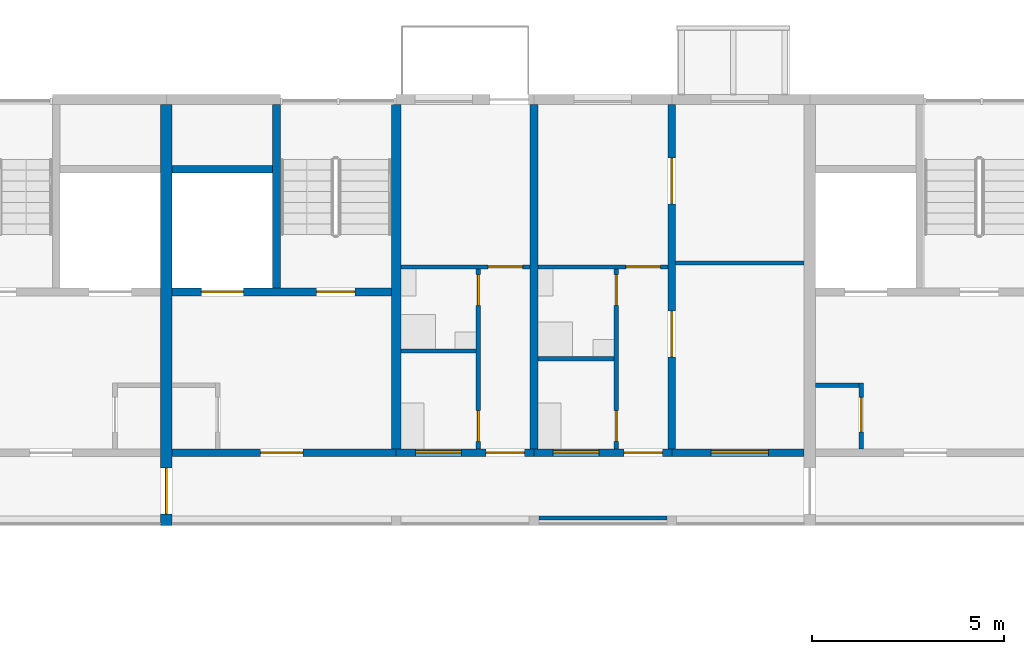
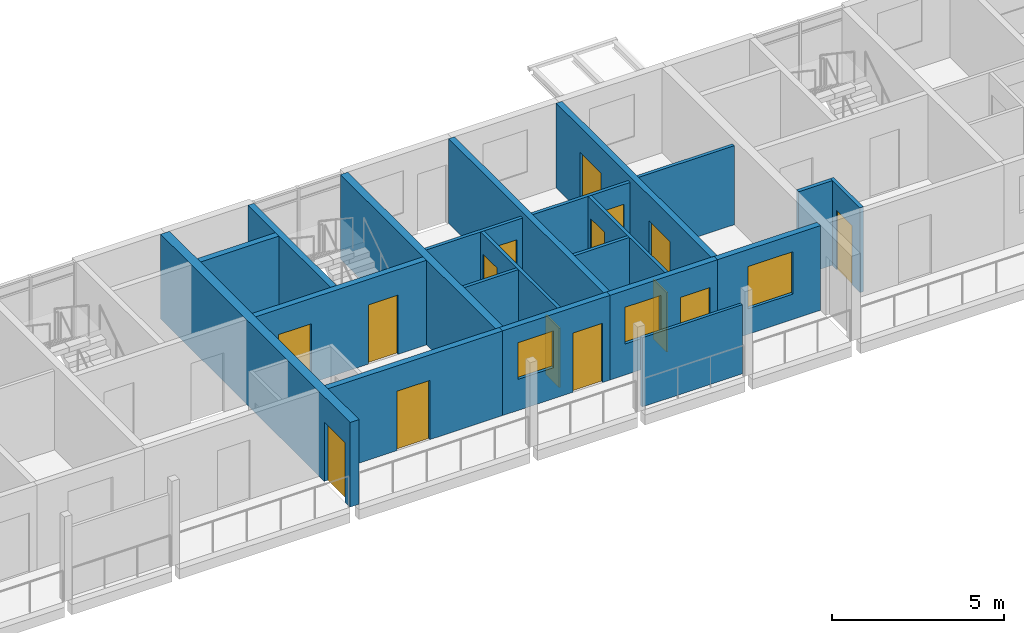
# One storey, part 50 of 99: 21 walls, 15 doors, 3 windows, 18 openings.
"""IFC4 building model written with IfcOpenShell, lengths in metres."""

from ifc_helpers import new_model, si_unit, direction, frame, frame_2d, origin, place, context, subcontext, project, spatial, rectangle, extrude, material, layer, layer_set, type_object, element, fill, save


model = new_model("IFC4")

# Units and contexts
model_context = context("Model", 3, precision=1e-05, world=origin(), true_north=direction((0.0, 1.0)))
body_context = subcontext(model_context, "Body", "Model", "MODEL_VIEW")
ifc_project = project(units=[si_unit("LENGTHUNIT", "METRE"), si_unit("AREAUNIT", "SQUARE_METRE"), si_unit("VOLUMEUNIT", "CUBIC_METRE"), si_unit("PLANEANGLEUNIT", "RADIAN"), si_unit("MASSUNIT", "GRAM", prefix="KILO")], contexts=[model_context])

# Site, building, storey
site_placement = place(None, origin())
site = spatial("IfcSite", under=ifc_project, at=site_placement, CompositionType="ELEMENT")
building_placement = place(site_placement, origin())
building = spatial("IfcBuilding", under=site, at=building_placement, Name="Ridgestep Commons", CompositionType="ELEMENT")
storey_placement = place(building_placement, frame((0.0, 0.0, 15.0)))
storey = spatial("IfcBuildingStorey", under=building, at=storey_placement, Name="L05", CompositionType="ELEMENT", Elevation=15.0)

# Wall
ifc_material_1 = material(Name="Concrete C30/37", Category="concrete")
ifc_layer_1 = layer(ifc_material_1, 0.25)
ifc_layer_set_1 = layer_set([ifc_layer_1], Name="Core cross wall 250")
wall_type_1 = type_object("IfcWallType", Name="Core cross wall 250", PredefinedType="SHEAR", material=ifc_layer_set_1)
wall_1_placement = place(storey_placement, frame((186.39990234375, 68.0, 0.0), z_axis=(0.0, 0.0, 1.0), x_axis=(0.0, 1.0, 0.0)))
element("IfcWall", 1, at=wall_1_placement, inside=storey, type_object=wall_type_1, Name="Cross wall C-05-1864", PredefinedType="SHEAR", context=body_context, shape_type="SweptSolid", body=[
    extrude(rectangle(XDim=9.0, YDim=0.25, at=frame_2d((4.5, 0.0))), origin(), (0.0, 0.0, 1.0), 3.0),
])

# Wall, opening, door
ifc_material_2 = material(Name="Concrete C30/37", Category="concrete")
ifc_layer_2 = layer(ifc_material_2, 0.199951171875)
ifc_layer_set_2 = layer_set([ifc_layer_2], Name="Core south wall 200")
wall_type_2 = type_object("IfcWallType", Name="Core south wall 200", PredefinedType="SHEAR", material=ifc_layer_set_2)
wall_2_placement = place(storey_placement, frame((180.550048828125, 67.89990234375, 0.0), z_axis=(0.0, 0.0, 1.0), x_axis=(1.0, 0.0, 0.0)))
wall_2 = element("IfcWall", 2, at=wall_2_placement, inside=storey, type_object=wall_type_2, Name="Core south wall C3C L05", PredefinedType="SHEAR", context=body_context, shape_type="SweptSolid", body=[
    extrude(rectangle(XDim=5.849853515625, YDim=0.199951171875, at=frame_2d((2.9248046875, 0.0))), origin(), (0.0, 0.0, 1.0), 3.0),
])
opening_1_placement = place(wall_2_placement, frame((2.3125, 0.0, 0.0)))
opening_1 = element("IfcOpeningElement", 3, at=opening_1_placement, cuts=wall_2, Name="Opening C3C/05/1", PredefinedType="OPENING", context=body_context, shape_type="SweptSolid", body=[
    extrude(rectangle(XDim=1.10009765625, YDim=2.10009765625, at=frame_2d((0.550048828125, 1.050048828125))), frame((0.0, 0.10986328125, 0.0), z_axis=(0.0, -1.0, 0.0), x_axis=(1.0, 0.0, 0.0)), (0.0, 0.0, 1.0), 0.219970703125),
])
ifc_material_3 = material(Name="Steel fire door", Category="steel")
door_type_1 = type_object("IfcDoorType", Name="Lobby door 1100 x 2100 FD60", OperationType="NOTDEFINED", PredefinedType="DOOR", material=ifc_material_3)
door_1_placement = place(opening_1_placement, origin())
door_1 = element("IfcDoor", 4, at=door_1_placement, inside=storey, type_object=door_type_1, Name="Lobby door C3C/05/1", OperationType="SINGLE_SWING_LEFT", OverallHeight=2.10009765625, OverallWidth=1.10009765625, PredefinedType="DOOR", context=body_context, shape_type="SweptSolid", body=[
    extrude(rectangle(XDim=1.10009765625, YDim=2.10009765625, at=frame_2d((0.550048828125, 1.050048828125))), frame((0.0, 0.02490234375, 0.0), z_axis=(0.0, -1.0, 0.0), x_axis=(1.0, 0.0, 0.0)), (0.0, 0.0, 1.0), 0.050048828125),
])
fill(opening_1, door_1)

ifc_material_4 = material(Name="Concrete C30/37", Category="concrete")
ifc_layer_3 = layer(ifc_material_4, 0.1201171875)
ifc_layer_set_3 = layer_set([ifc_layer_3], Name="Core wall 120")
wall_type_3 = type_object("IfcWallType", Name="Core wall 120", PredefinedType="SHEAR", material=ifc_layer_set_3)
wall_3_placement = place(storey_placement, frame((198.5400390625, 68.0, 0.0), z_axis=(0.0, 0.0, 1.0), x_axis=(0.0, 1.0, 0.0)))
wall_3 = element("IfcWall", 5, at=wall_3_placement, inside=storey, type_object=wall_type_3, Name="Core riser w wall C4C L05", PredefinedType="SHEAR", context=body_context, shape_type="SweptSolid", body=[
    extrude(rectangle(XDim=1.719970703125, YDim=0.1201171875, at=frame_2d((0.85986328125, 0.0))), origin(), (0.0, 0.0, 1.0), 3.0),
])
opening_2_placement = place(wall_3_placement, frame((0.449951171875, 0.0, 0.0)))
opening_2 = element("IfcOpeningElement", 6, at=opening_2_placement, cuts=wall_3, Name="Opening C4C/05/4", PredefinedType="OPENING", context=body_context, shape_type="SweptSolid", body=[
    extrude(rectangle(XDim=0.89990234375, YDim=2.10009765625, at=frame_2d((0.449951171875, 1.050048828125))), frame((0.0, 0.070068359375, 0.0), z_axis=(0.0, -1.0, 0.0), x_axis=(1.0, 0.0, 0.0)), (0.0, 0.0, 1.0), 0.14013671875),
])
ifc_material_5 = material(Name="Steel fire door", Category="steel")
door_type_2 = type_object("IfcDoorType", Name="Riser door 900 x 2100 FD60", OperationType="NOTDEFINED", PredefinedType="DOOR", material=ifc_material_5)
door_2_placement = place(opening_2_placement, origin())
door_2 = element("IfcDoor", 7, at=door_2_placement, inside=storey, type_object=door_type_2, Name="Riser door C4C/05/4", OperationType="SINGLE_SWING_RIGHT", OverallHeight=2.10009765625, OverallWidth=0.89990234375, PredefinedType="DOOR", context=body_context, shape_type="SweptSolid", body=[
    extrude(rectangle(XDim=0.89990234375, YDim=2.10009765625, at=frame_2d((0.449951171875, 1.050048828125))), frame((0.0, 0.02490234375, 0.0), z_axis=(0.0, -1.0, 0.0), x_axis=(1.0, 0.0, 0.0)), (0.0, 0.0, 1.0), 0.050048828125),
])
fill(opening_2, door_2)

# Wall
wall_4_placement = place(storey_placement, frame((197.35009765625, 69.659912109375, 0.0), z_axis=(0.0, 0.0, 1.0), x_axis=(1.0, 0.0, 0.0)))
element("IfcWall", 8, at=wall_4_placement, inside=storey, type_object=wall_type_3, Name="Core riser n wall C4C L05", PredefinedType="SHEAR", context=body_context, shape_type="SweptSolid", body=[
    extrude(rectangle(XDim=1.1298828125, YDim=0.1201171875, at=frame_2d((0.56494140625, 0.0))), origin(), (0.0, 0.0, 1.0), 3.0),
])

# Wall, openings, doors
ifc_material_6 = material(Name="Concrete C30/37", Category="concrete")
ifc_layer_4 = layer(ifc_material_6, 0.199951171875)
ifc_layer_set_4 = layer_set([ifc_layer_4], Name="Core wall 200")
wall_type_4 = type_object("IfcWallType", Name="Core wall 200", PredefinedType="SHEAR", material=ifc_layer_set_4)
wall_5_placement = place(storey_placement, frame((180.550048828125, 72.10009765625, 0.0), z_axis=(0.0, 0.0, 1.0), x_axis=(1.0, 0.0, 0.0)))
wall_5 = element("IfcWall", 9, at=wall_5_placement, inside=storey, type_object=wall_type_4, Name="Core lobby wall C3C L05", PredefinedType="SHEAR", context=body_context, shape_type="SweptSolid", body=[
    extrude(rectangle(XDim=5.724853515625, YDim=0.199951171875, at=frame_2d((2.8623046875, 0.0))), origin(), (0.0, 0.0, 1.0), 3.0),
])
opening_3_placement = place(wall_5_placement, frame((3.77490234375, 0.0, 0.0)))
opening_3 = element("IfcOpeningElement", 10, at=opening_3_placement, cuts=wall_5, Name="Opening C3C/05/2", PredefinedType="OPENING", context=body_context, shape_type="SweptSolid", body=[
    extrude(rectangle(XDim=1.0, YDim=2.10009765625, at=frame_2d((0.5, 1.050048828125))), frame((0.0, 0.10986328125, 0.0), z_axis=(0.0, -1.0, 0.0), x_axis=(1.0, 0.0, 0.0)), (0.0, 0.0, 1.0), 0.219970703125),
])
opening_4_placement = place(wall_5_placement, frame((0.762451171875, 0.0, 0.0)))
opening_4 = element("IfcOpeningElement", 11, at=opening_4_placement, cuts=wall_5, Name="Opening C3C/05/3", PredefinedType="OPENING", context=body_context, shape_type="SweptSolid", body=[
    extrude(rectangle(XDim=1.10009765625, YDim=2.10009765625, at=frame_2d((0.550048828125, 1.050048828125))), frame((0.0, 0.10986328125, 0.0), z_axis=(0.0, -1.0, 0.0), x_axis=(1.0, 0.0, 0.0)), (0.0, 0.0, 1.0), 0.219970703125),
])
ifc_material_7 = material(Name="Stainless steel", Category="steel")
door_type_3 = type_object("IfcDoorType", Name="Lift landing door 1100 x 2100 FD60", OperationType="DOUBLE_DOOR_SLIDING", PredefinedType="DOOR", material=ifc_material_7)
door_3_placement = place(opening_4_placement, origin())
door_3 = element("IfcDoor", 12, at=door_3_placement, inside=storey, type_object=door_type_3, Name="Landing door LD C3C L05", OperationType="DOUBLE_DOOR_SLIDING", OverallHeight=2.10009765625, OverallWidth=1.10009765625, PredefinedType="DOOR", context=body_context, shape_type="SweptSolid", body=[
    extrude(rectangle(XDim=1.10009765625, YDim=2.10009765625, at=frame_2d((0.550048828125, 1.050048828125))), frame((0.0, 0.02490234375, 0.0), z_axis=(0.0, -1.0, 0.0), x_axis=(1.0, 0.0, 0.0)), (0.0, 0.0, 1.0), 0.050048828125),
])
fill(opening_4, door_3)
ifc_material_8 = material(Name="Steel fire door", Category="steel")
door_type_4 = type_object("IfcDoorType", Name="Stair door 1000 x 2100 FD60", OperationType="NOTDEFINED", PredefinedType="DOOR", material=ifc_material_8)
door_4_placement = place(opening_3_placement, origin())
door_4 = element("IfcDoor", 13, at=door_4_placement, inside=storey, type_object=door_type_4, Name="Stair door C3C/05/2", OperationType="SINGLE_SWING_RIGHT", OverallHeight=2.10009765625, OverallWidth=1.0, PredefinedType="DOOR", context=body_context, shape_type="SweptSolid", body=[
    extrude(rectangle(XDim=1.0, YDim=2.10009765625, at=frame_2d((0.5, 1.050048828125))), frame((0.0, 0.02490234375, 0.0), z_axis=(0.0, -1.0, 0.0), x_axis=(1.0, 0.0, 0.0)), (0.0, 0.0, 1.0), 0.050048828125),
])
fill(opening_3, door_4)

# Walls
wall_6_placement = place(storey_placement, frame((183.27490234375, 72.199951171875, 0.0), z_axis=(0.0, 0.0, 1.0), x_axis=(0.0, 1.0, 0.0)))
element("IfcWall", 14, at=wall_6_placement, inside=storey, type_object=wall_type_4, Name="Core stair wall C3C L05", PredefinedType="SHEAR", context=body_context, shape_type="SweptSolid", body=[
    extrude(rectangle(XDim=4.800048828125, YDim=0.199951171875, at=frame_2d((2.39990234375, 0.0))), origin(), (0.0, 0.0, 1.0), 3.0),
])
wall_7_placement = place(storey_placement, frame((180.550048828125, 75.300048828125, 0.0), z_axis=(0.0, 0.0, 1.0), x_axis=(1.0, 0.0, 0.0)))
element("IfcWall", 15, at=wall_7_placement, inside=storey, type_object=wall_type_4, Name="Core duct wall C3C L05", PredefinedType="SHEAR", context=body_context, shape_type="SweptSolid", body=[
    extrude(rectangle(XDim=2.625, YDim=0.199951171875, at=frame_2d((1.3125, 0.0))), origin(), (0.0, 0.0, 1.0), 3.0),
])
ifc_material_9 = material(Name="Precast concrete C40/50", Category="concrete")
ifc_layer_5 = layer(ifc_material_9, 0.199951171875)
ifc_layer_set_5 = layer_set([ifc_layer_5], Name="Cross wall 200")
wall_type_5 = type_object("IfcWallType", Name="Cross wall 200", PredefinedType="SHEAR", material=ifc_layer_set_5)
wall_8_placement = place(storey_placement, frame((190.0, 68.0, 0.0), z_axis=(0.0, 0.0, 1.0), x_axis=(0.0, 1.0, 0.0)))
element("IfcWall", 16, at=wall_8_placement, inside=storey, type_object=wall_type_5, Name="Cross wall C-05-1900", PredefinedType="SHEAR", context=body_context, shape_type="SweptSolid", body=[
    extrude(rectangle(XDim=9.0, YDim=0.199951171875, at=frame_2d((4.5, 0.0))), origin(), (0.0, 0.0, 1.0), 3.0),
])

# Wall, openings, doors
wall_9_placement = place(storey_placement, frame((193.60009765625, 68.0, 0.0), z_axis=(0.0, 0.0, 1.0), x_axis=(0.0, 1.0, 0.0)))
wall_9 = element("IfcWall", 17, at=wall_9_placement, inside=storey, type_object=wall_type_5, Name="Cross wall C-05-1936", PredefinedType="SHEAR", context=body_context, shape_type="SweptSolid", body=[
    extrude(rectangle(XDim=9.0, YDim=0.199951171875, at=frame_2d((4.5, 0.0))), origin(), (0.0, 0.0, 1.0), 3.0),
])
opening_5_placement = place(wall_9_placement, frame((2.39990234375, 0.0, 0.0)))
opening_5 = element("IfcOpeningElement", 18, at=opening_5_placement, cuts=wall_9, Name="Opening C3-05a/5", PredefinedType="OPENING", context=body_context, shape_type="SweptSolid", body=[
    extrude(rectangle(XDim=1.199951171875, YDim=2.10009765625, at=frame_2d((0.60009765625, 1.050048828125))), frame((0.0, 0.10986328125, 0.0), z_axis=(0.0, -1.0, 0.0), x_axis=(1.0, 0.0, 0.0)), (0.0, 0.0, 1.0), 0.219970703125),
])
opening_6_placement = place(wall_9_placement, frame((6.39990234375, 0.0, 0.0)))
opening_6 = element("IfcOpeningElement", 19, at=opening_6_placement, cuts=wall_9, Name="Opening C3-05a/6", PredefinedType="OPENING", context=body_context, shape_type="SweptSolid", body=[
    extrude(rectangle(XDim=1.199951171875, YDim=2.10009765625, at=frame_2d((0.60009765625, 1.050048828125))), frame((0.0, 0.10986328125, 0.0), z_axis=(0.0, -1.0, 0.0), x_axis=(1.0, 0.0, 0.0)), (0.0, 0.0, 1.0), 0.219970703125),
])
ifc_material_10 = material(Name="Timber door leaf", Category="wood")
door_type_5 = type_object("IfcDoorType", Name="Double door 1200 x 2100", OperationType="DOUBLE_DOOR_SINGLE_SWING", PredefinedType="DOOR", material=ifc_material_10)
door_5_placement = place(opening_5_placement, origin())
door_5 = element("IfcDoor", 20, at=door_5_placement, inside=storey, type_object=door_type_5, Name="Double door C3-05a/5", OperationType="DOUBLE_DOOR_SINGLE_SWING", OverallHeight=2.10009765625, OverallWidth=1.199951171875, PredefinedType="DOOR", context=body_context, shape_type="SweptSolid", body=[
    extrude(rectangle(XDim=1.199951171875, YDim=2.10009765625, at=frame_2d((0.60009765625, 1.050048828125))), frame((0.0, 0.02490234375, 0.0), z_axis=(0.0, -1.0, 0.0), x_axis=(1.0, 0.0, 0.0)), (0.0, 0.0, 1.0), 0.050048828125),
])
fill(opening_5, door_5)
door_6_placement = place(opening_6_placement, origin())
door_6 = element("IfcDoor", 21, at=door_6_placement, inside=storey, type_object=door_type_5, Name="Double door C3-05a/6", OperationType="DOUBLE_DOOR_SINGLE_SWING", OverallHeight=2.10009765625, OverallWidth=1.199951171875, PredefinedType="DOOR", context=body_context, shape_type="SweptSolid", body=[
    extrude(rectangle(XDim=1.199951171875, YDim=2.10009765625, at=frame_2d((0.60009765625, 1.050048828125))), frame((0.0, 0.02490234375, 0.0), z_axis=(0.0, -1.0, 0.0), x_axis=(1.0, 0.0, 0.0)), (0.0, 0.0, 1.0), 0.050048828125),
])
fill(opening_6, door_6)

# Wall, opening, door
ifc_material_11 = material(Name="Precast concrete C40/50", Category="concrete")
ifc_layer_6 = layer(ifc_material_11, 0.300048828125)
ifc_layer_set_6 = layer_set([ifc_layer_6], Name="Division wall 300")
wall_type_6 = type_object("IfcWallType", Name="Division wall 300", PredefinedType="SHEAR", material=ifc_layer_set_6)
wall_10_placement = place(storey_placement, frame((180.39990234375, 66.0, 0.0), z_axis=(0.0, 0.0, 1.0), x_axis=(0.0, 1.0, 0.0)))
wall_10 = element("IfcWall", 22, at=wall_10_placement, inside=storey, type_object=wall_type_6, Name="Cross wall C-05-1804", PredefinedType="SHEAR", context=body_context, shape_type="SweptSolid", body=[
    extrude(rectangle(XDim=11.0, YDim=0.300048828125, at=frame_2d((5.5, 0.0))), origin(), (0.0, 0.0, 1.0), 3.0),
])
opening_7_placement = place(wall_10_placement, frame((0.300048828125, 0.0, 0.0)))
opening_7 = element("IfcOpeningElement", 23, at=opening_7_placement, cuts=wall_10, Name="Opening C/05/G1804", PredefinedType="OPENING", context=body_context, shape_type="SweptSolid", body=[
    extrude(rectangle(XDim=1.199951171875, YDim=2.10009765625, at=frame_2d((0.60009765625, 1.050048828125))), frame((0.0, 0.159912109375, 0.0), z_axis=(0.0, -1.0, 0.0), x_axis=(1.0, 0.0, 0.0)), (0.0, 0.0, 1.0), 0.320068359375),
])
ifc_material_12 = material(Name="Steel fire door", Category="steel")
door_type_6 = type_object("IfcDoorType", Name="Division fire door 1200 x 2100 EI 240", OperationType="DOUBLE_DOOR_SINGLE_SWING", PredefinedType="DOOR", material=ifc_material_12)
door_7_placement = place(opening_7_placement, origin())
door_7 = element("IfcDoor", 24, at=door_7_placement, inside=storey, type_object=door_type_6, Name="Division fire door C/05/G1804", OperationType="DOUBLE_DOOR_SINGLE_SWING", OverallHeight=2.10009765625, OverallWidth=1.199951171875, PredefinedType="DOOR", context=body_context, shape_type="SweptSolid", body=[
    extrude(rectangle(XDim=1.199951171875, YDim=2.10009765625, at=frame_2d((0.60009765625, 1.050048828125))), frame((0.0, 0.02490234375, 0.0), z_axis=(0.0, -1.0, 0.0), x_axis=(1.0, 0.0, 0.0)), (0.0, 0.0, 1.0), 0.050048828125),
])
fill(opening_7, door_7)

# Wall
ifc_material_13 = material(Name="Common brick 110 mm", Category="masonry")
ifc_layer_7 = layer(ifc_material_13, 0.110107421875)
ifc_layer_set_7 = layer_set([ifc_layer_7], Name="Partition 110")
wall_type_7 = type_object("IfcWallType", Name="Partition 110", PredefinedType="PARTITIONING", material=ifc_layer_set_7)
wall_11_placement = place(storey_placement, frame((190.10009765625, 70.35498046875, 0.0), z_axis=(0.0, 0.0, 1.0), x_axis=(1.0, 0.0, 0.0)))
element("IfcWall", 25, at=wall_11_placement, inside=storey, type_object=wall_type_7, Name="Partition C3-05a", PredefinedType="PARTITIONING", context=body_context, shape_type="SweptSolid", body=[
    extrude(rectangle(XDim=1.989990234375, YDim=0.110107421875, at=frame_2d((0.9951171875, 0.0))), origin(), (0.0, 0.0, 1.0), 2.800048828125),
])

# Wall, openings, doors
wall_12_placement = place(storey_placement, frame((192.14501953125, 68.0, 0.0), z_axis=(0.0, 0.0, 1.0), x_axis=(0.0, 1.0, 0.0)))
wall_12 = element("IfcWall", 26, at=wall_12_placement, inside=storey, type_object=wall_type_7, Name="Partition C3-05a", PredefinedType="PARTITIONING", context=body_context, shape_type="SweptSolid", body=[
    extrude(rectangle(XDim=4.699951171875, YDim=0.110107421875, at=frame_2d((2.35009765625, 0.0))), origin(), (0.0, 0.0, 1.0), 2.800048828125),
])
opening_8_placement = place(wall_12_placement, frame((0.199951171875, 0.0, 0.0)))
opening_8 = element("IfcOpeningElement", 27, at=opening_8_placement, cuts=wall_12, Name="Opening C3-05a/2", PredefinedType="OPENING", context=body_context, shape_type="SweptSolid", body=[
    extrude(rectangle(XDim=0.800048828125, YDim=2.10009765625, at=frame_2d((0.39990234375, 1.050048828125))), frame((0.0, 0.06494140625, 0.0), z_axis=(0.0, -1.0, 0.0), x_axis=(1.0, 0.0, 0.0)), (0.0, 0.0, 1.0), 0.130126953125),
])
opening_9_placement = place(wall_12_placement, frame((3.75, 0.0, 0.0)))
opening_9 = element("IfcOpeningElement", 28, at=opening_9_placement, cuts=wall_12, Name="Opening C3-05a/3", PredefinedType="OPENING", context=body_context, shape_type="SweptSolid", body=[
    extrude(rectangle(XDim=0.800048828125, YDim=2.10009765625, at=frame_2d((0.39990234375, 1.050048828125))), frame((0.0, 0.06494140625, 0.0), z_axis=(0.0, -1.0, 0.0), x_axis=(1.0, 0.0, 0.0)), (0.0, 0.0, 1.0), 0.130126953125),
])
ifc_material_14 = material(Name="Timber door leaf", Category="wood")
door_type_7 = type_object("IfcDoorType", Name="Internal door 800 x 2100", OperationType="NOTDEFINED", PredefinedType="DOOR", material=ifc_material_14)
door_8_placement = place(opening_8_placement, origin())
door_8 = element("IfcDoor", 29, at=door_8_placement, inside=storey, type_object=door_type_7, Name="Internal door C3-05a/2", OperationType="SINGLE_SWING_LEFT", OverallHeight=2.10009765625, OverallWidth=0.800048828125, PredefinedType="DOOR", context=body_context, shape_type="SweptSolid", body=[
    extrude(rectangle(XDim=0.800048828125, YDim=2.10009765625, at=frame_2d((0.39990234375, 1.050048828125))), frame((0.0, 0.02490234375, 0.0), z_axis=(0.0, -1.0, 0.0), x_axis=(1.0, 0.0, 0.0)), (0.0, 0.0, 1.0), 0.050048828125),
])
fill(opening_8, door_8)
door_9_placement = place(opening_9_placement, origin())
door_9 = element("IfcDoor", 30, at=door_9_placement, inside=storey, type_object=door_type_7, Name="Internal door C3-05a/3", OperationType="SINGLE_SWING_RIGHT", OverallHeight=2.10009765625, OverallWidth=0.800048828125, PredefinedType="DOOR", context=body_context, shape_type="SweptSolid", body=[
    extrude(rectangle(XDim=0.800048828125, YDim=2.10009765625, at=frame_2d((0.39990234375, 1.050048828125))), frame((0.0, 0.02490234375, 0.0), z_axis=(0.0, -1.0, 0.0), x_axis=(1.0, 0.0, 0.0)), (0.0, 0.0, 1.0), 0.050048828125),
])
fill(opening_9, door_9)

# Wall, opening, door
wall_13_placement = place(storey_placement, frame((190.10009765625, 72.7548828125, 0.0), z_axis=(0.0, 0.0, 1.0), x_axis=(1.0, 0.0, 0.0)))
wall_13 = element("IfcWall", 31, at=wall_13_placement, inside=storey, type_object=wall_type_7, Name="Partition C3-05a", PredefinedType="PARTITIONING", context=body_context, shape_type="SweptSolid", body=[
    extrude(rectangle(XDim=3.39990234375, YDim=0.110107421875, at=frame_2d((1.699951171875, 0.0))), origin(), (0.0, 0.0, 1.0), 2.800048828125),
])
opening_10_placement = place(wall_13_placement, frame((2.300048828125, 0.0, 0.0)))
opening_10 = element("IfcOpeningElement", 32, at=opening_10_placement, cuts=wall_13, Name="Opening C3-05a/4", PredefinedType="OPENING", context=body_context, shape_type="SweptSolid", body=[
    extrude(rectangle(XDim=0.89990234375, YDim=2.10009765625, at=frame_2d((0.449951171875, 1.050048828125))), frame((0.0, 0.06494140625, 0.0), z_axis=(0.0, -1.0, 0.0), x_axis=(1.0, 0.0, 0.0)), (0.0, 0.0, 1.0), 0.130126953125),
])
ifc_material_15 = material(Name="Timber door leaf", Category="wood")
door_type_8 = type_object("IfcDoorType", Name="Internal door 900 x 2100", OperationType="NOTDEFINED", PredefinedType="DOOR", material=ifc_material_15)
door_10_placement = place(opening_10_placement, origin())
door_10 = element("IfcDoor", 33, at=door_10_placement, inside=storey, type_object=door_type_8, Name="Internal door C3-05a/4", OperationType="SINGLE_SWING_LEFT", OverallHeight=2.10009765625, OverallWidth=0.89990234375, PredefinedType="DOOR", context=body_context, shape_type="SweptSolid", body=[
    extrude(rectangle(XDim=0.89990234375, YDim=2.10009765625, at=frame_2d((0.449951171875, 1.050048828125))), frame((0.0, 0.02490234375, 0.0), z_axis=(0.0, -1.0, 0.0), x_axis=(1.0, 0.0, 0.0)), (0.0, 0.0, 1.0), 0.050048828125),
])
fill(opening_10, door_10)

# Walls
wall_14_placement = place(storey_placement, frame((193.699951171875, 72.85498046875, 0.0), z_axis=(0.0, 0.0, 1.0), x_axis=(1.0, 0.0, 0.0)))
element("IfcWall", 34, at=wall_14_placement, inside=storey, type_object=wall_type_7, Name="Partition C3-05a", PredefinedType="PARTITIONING", context=body_context, shape_type="SweptSolid", body=[
    extrude(rectangle(XDim=3.35009765625, YDim=0.110107421875, at=frame_2d((1.675048828125, 0.0))), origin(), (0.0, 0.0, 1.0), 2.800048828125),
])
wall_15_placement = place(storey_placement, frame((186.52490234375, 70.554931640625, 0.0), z_axis=(0.0, 0.0, 1.0), x_axis=(1.0, 0.0, 0.0)))
element("IfcWall", 35, at=wall_15_placement, inside=storey, type_object=wall_type_7, Name="Partition C3-05b", PredefinedType="PARTITIONING", context=body_context, shape_type="SweptSolid", body=[
    extrude(rectangle(XDim=1.965087890625, YDim=0.110107421875, at=frame_2d((0.982421875, 0.0))), origin(), (0.0, 0.0, 1.0), 2.800048828125),
])

# Wall, openings, doors
wall_16_placement = place(storey_placement, frame((188.544921875, 68.0, 0.0), z_axis=(0.0, 0.0, 1.0), x_axis=(0.0, 1.0, 0.0)))
wall_16 = element("IfcWall", 36, at=wall_16_placement, inside=storey, type_object=wall_type_7, Name="Partition C3-05b", PredefinedType="PARTITIONING", context=body_context, shape_type="SweptSolid", body=[
    extrude(rectangle(XDim=4.699951171875, YDim=0.110107421875, at=frame_2d((2.35009765625, 0.0))), origin(), (0.0, 0.0, 1.0), 2.800048828125),
])
opening_11_placement = place(wall_16_placement, frame((0.199951171875, 0.0, 0.0)))
opening_11 = element("IfcOpeningElement", 37, at=opening_11_placement, cuts=wall_16, Name="Opening C3-05b/2", PredefinedType="OPENING", context=body_context, shape_type="SweptSolid", body=[
    extrude(rectangle(XDim=0.800048828125, YDim=2.10009765625, at=frame_2d((0.39990234375, 1.050048828125))), frame((0.0, 0.06494140625, 0.0), z_axis=(0.0, -1.0, 0.0), x_axis=(1.0, 0.0, 0.0)), (0.0, 0.0, 1.0), 0.130126953125),
])
opening_12_placement = place(wall_16_placement, frame((3.75, 0.0, 0.0)))
opening_12 = element("IfcOpeningElement", 38, at=opening_12_placement, cuts=wall_16, Name="Opening C3-05b/3", PredefinedType="OPENING", context=body_context, shape_type="SweptSolid", body=[
    extrude(rectangle(XDim=0.800048828125, YDim=2.10009765625, at=frame_2d((0.39990234375, 1.050048828125))), frame((0.0, 0.06494140625, 0.0), z_axis=(0.0, -1.0, 0.0), x_axis=(1.0, 0.0, 0.0)), (0.0, 0.0, 1.0), 0.130126953125),
])
door_11_placement = place(opening_11_placement, origin())
door_11 = element("IfcDoor", 39, at=door_11_placement, inside=storey, type_object=door_type_7, Name="Internal door C3-05b/2", OperationType="SINGLE_SWING_LEFT", OverallHeight=2.10009765625, OverallWidth=0.800048828125, PredefinedType="DOOR", context=body_context, shape_type="SweptSolid", body=[
    extrude(rectangle(XDim=0.800048828125, YDim=2.10009765625, at=frame_2d((0.39990234375, 1.050048828125))), frame((0.0, 0.02490234375, 0.0), z_axis=(0.0, -1.0, 0.0), x_axis=(1.0, 0.0, 0.0)), (0.0, 0.0, 1.0), 0.050048828125),
])
fill(opening_11, door_11)
door_12_placement = place(opening_12_placement, origin())
door_12 = element("IfcDoor", 40, at=door_12_placement, inside=storey, type_object=door_type_7, Name="Internal door C3-05b/3", OperationType="SINGLE_SWING_RIGHT", OverallHeight=2.10009765625, OverallWidth=0.800048828125, PredefinedType="DOOR", context=body_context, shape_type="SweptSolid", body=[
    extrude(rectangle(XDim=0.800048828125, YDim=2.10009765625, at=frame_2d((0.39990234375, 1.050048828125))), frame((0.0, 0.02490234375, 0.0), z_axis=(0.0, -1.0, 0.0), x_axis=(1.0, 0.0, 0.0)), (0.0, 0.0, 1.0), 0.050048828125),
])
fill(opening_12, door_12)

# Wall, opening, door
wall_17_placement = place(storey_placement, frame((186.52490234375, 72.7548828125, 0.0), z_axis=(0.0, 0.0, 1.0), x_axis=(1.0, 0.0, 0.0)))
wall_17 = element("IfcWall", 41, at=wall_17_placement, inside=storey, type_object=wall_type_7, Name="Partition C3-05b", PredefinedType="PARTITIONING", context=body_context, shape_type="SweptSolid", body=[
    extrude(rectangle(XDim=3.375, YDim=0.110107421875, at=frame_2d((1.6875, 0.0))), origin(), (0.0, 0.0, 1.0), 2.800048828125),
])
opening_13_placement = place(wall_17_placement, frame((2.27490234375, 0.0, 0.0)))
opening_13 = element("IfcOpeningElement", 42, at=opening_13_placement, cuts=wall_17, Name="Opening C3-05b/4", PredefinedType="OPENING", context=body_context, shape_type="SweptSolid", body=[
    extrude(rectangle(XDim=0.89990234375, YDim=2.10009765625, at=frame_2d((0.449951171875, 1.050048828125))), frame((0.0, 0.06494140625, 0.0), z_axis=(0.0, -1.0, 0.0), x_axis=(1.0, 0.0, 0.0)), (0.0, 0.0, 1.0), 0.130126953125),
])
door_13_placement = place(opening_13_placement, origin())
door_13 = element("IfcDoor", 43, at=door_13_placement, inside=storey, type_object=door_type_8, Name="Internal door C3-05b/4", OperationType="SINGLE_SWING_LEFT", OverallHeight=2.10009765625, OverallWidth=0.89990234375, PredefinedType="DOOR", context=body_context, shape_type="SweptSolid", body=[
    extrude(rectangle(XDim=0.89990234375, YDim=2.10009765625, at=frame_2d((0.449951171875, 1.050048828125))), frame((0.0, 0.02490234375, 0.0), z_axis=(0.0, -1.0, 0.0), x_axis=(1.0, 0.0, 0.0)), (0.0, 0.0, 1.0), 0.050048828125),
])
fill(opening_13, door_13)

# Wall
ifc_material_16 = material(Name="Precast concrete C30/37", Category="concrete")
ifc_layer_8 = layer(ifc_material_16, 0.10009765625)
ifc_layer_set_8 = layer_set([ifc_layer_8], Name="Perforated gallery screen 3350 x 2450 x 100")
wall_type_8 = type_object("IfcWallType", Name="Perforated gallery screen 3350 x 2450 x 100", PredefinedType="SOLIDWALL", material=ifc_layer_set_8)
wall_18_placement = place(storey_placement, frame((190.125, 66.199951171875, 0.0), z_axis=(0.0, 0.0, 1.0), x_axis=(1.0, 0.0, 0.0)))
element("IfcWall", 44, at=wall_18_placement, inside=storey, type_object=wall_type_8, Name="Gallery screen C3T2 05", PredefinedType="SOLIDWALL", context=body_context, shape_type="SweptSolid", body=[
    extrude(rectangle(XDim=3.35009765625, YDim=0.10009765625, at=frame_2d((1.675048828125, 0.0))), origin(), (0.0, 0.0, 1.0), 2.449951171875),
])

# Wall, openings, door, window
ifc_material_17 = material(Name="Precast concrete C40/50", Category="concrete")
ifc_layer_9 = layer(ifc_material_17, 0.199951171875)
ifc_layer_set_9 = layer_set([ifc_layer_9], Name="South facade panel 200")
wall_type_9 = type_object("IfcWallType", Name="South facade panel 200", PredefinedType="SOLIDWALL", material=ifc_layer_set_9)
wall_19_placement = place(storey_placement, frame((186.39990234375, 67.89990234375, 0.0), z_axis=(0.0, 0.0, 1.0), x_axis=(1.0, 0.0, 0.0)))
wall_19 = element("IfcWall", 45, at=wall_19_placement, inside=storey, type_object=wall_type_9, Name="South panel C3T3 L05", PredefinedType="SOLIDWALL", context=body_context, shape_type="SweptSolid", body=[
    extrude(rectangle(XDim=3.60009765625, YDim=0.199951171875, at=frame_2d((1.800048828125, 0.0))), origin(), (0.0, 0.0, 1.0), 3.0),
])
opening_14_placement = place(wall_19_placement, frame((0.507568359375, 0.0, 1.10009765625)))
opening_14 = element("IfcOpeningElement", 46, at=opening_14_placement, cuts=wall_19, Name="Opening W08", PredefinedType="OPENING", context=body_context, shape_type="SweptSolid", body=[
    extrude(rectangle(XDim=1.199951171875, YDim=1.300048828125, at=frame_2d((0.60009765625, 0.64990234375))), frame((0.0, 0.10986328125, 0.0), z_axis=(0.0, -1.0, 0.0), x_axis=(1.0, 0.0, 0.0)), (0.0, 0.0, 1.0), 0.219970703125),
])
opening_15_placement = place(wall_19_placement, frame((2.35009765625, 0.0, 0.0)))
opening_15 = element("IfcOpeningElement", 47, at=opening_15_placement, cuts=wall_19, Name="Opening C3-05b/1", PredefinedType="OPENING", context=body_context, shape_type="SweptSolid", body=[
    extrude(rectangle(XDim=1.0, YDim=2.10009765625, at=frame_2d((0.5, 1.050048828125))), frame((0.0, 0.10986328125, 0.0), z_axis=(0.0, -1.0, 0.0), x_axis=(1.0, 0.0, 0.0)), (0.0, 0.0, 1.0), 0.219970703125),
])
ifc_material_18 = material(Name="Timber door leaf", Category="wood")
door_type_9 = type_object("IfcDoorType", Name="Flat entrance door 1000 x 2100 FD30S", OperationType="NOTDEFINED", PredefinedType="DOOR", material=ifc_material_18)
door_14_placement = place(opening_15_placement, origin())
door_14 = element("IfcDoor", 48, at=door_14_placement, inside=storey, type_object=door_type_9, Name="Flat entrance door C3-05b/1", OperationType="SINGLE_SWING_RIGHT", OverallHeight=2.10009765625, OverallWidth=1.0, PredefinedType="DOOR", context=body_context, shape_type="SweptSolid", body=[
    extrude(rectangle(XDim=1.0, YDim=2.10009765625, at=frame_2d((0.5, 1.050048828125))), frame((0.0, 0.02490234375, 0.0), z_axis=(0.0, -1.0, 0.0), x_axis=(1.0, 0.0, 0.0)), (0.0, 0.0, 1.0), 0.050048828125),
])
fill(opening_15, door_14)
ifc_material_19 = material(Name="Aluminium 6063-T6 and glass", Category="aluminium")
window_type_1 = type_object("IfcWindowType", Name="Flat window 1200 x 1300", PartitioningType="SINGLE_PANEL", PredefinedType="WINDOW", material=ifc_material_19)
window_1_placement = place(opening_14_placement, origin())
window_1 = element("IfcWindow", 49, at=window_1_placement, inside=storey, type_object=window_type_1, Name="Window C3-05b 1", OverallHeight=1.300048828125, OverallWidth=1.199951171875, PartitioningType="SINGLE_PANEL", PredefinedType="WINDOW", context=body_context, shape_type="SweptSolid", body=[
    extrude(rectangle(XDim=1.199951171875, YDim=1.300048828125, at=frame_2d((0.60009765625, 0.64990234375))), frame((0.0, 0.06005859375, 0.0), z_axis=(0.0, -1.0, 0.0), x_axis=(1.0, 0.0, 0.0)), (0.0, 0.0, 1.0), 0.06005859375),
])
fill(opening_14, window_1)

wall_20_placement = place(storey_placement, frame((190.0, 67.89990234375, 0.0), z_axis=(0.0, 0.0, 1.0), x_axis=(1.0, 0.0, 0.0)))
wall_20 = element("IfcWall", 50, at=wall_20_placement, inside=storey, type_object=wall_type_9, Name="South panel C3T2 L05", PredefinedType="SOLIDWALL", context=body_context, shape_type="SweptSolid", body=[
    extrude(rectangle(XDim=3.60009765625, YDim=0.199951171875, at=frame_2d((1.800048828125, 0.0))), origin(), (0.0, 0.0, 1.0), 3.0),
])
opening_16_placement = place(wall_20_placement, frame((0.4951171875, 0.0, 1.10009765625)))
opening_16 = element("IfcOpeningElement", 51, at=opening_16_placement, cuts=wall_20, Name="Opening W08", PredefinedType="OPENING", context=body_context, shape_type="SweptSolid", body=[
    extrude(rectangle(XDim=1.199951171875, YDim=1.300048828125, at=frame_2d((0.60009765625, 0.64990234375))), frame((0.0, 0.10986328125, 0.0), z_axis=(0.0, -1.0, 0.0), x_axis=(1.0, 0.0, 0.0)), (0.0, 0.0, 1.0), 0.219970703125),
])
opening_17_placement = place(wall_20_placement, frame((2.35009765625, 0.0, 0.0)))
opening_17 = element("IfcOpeningElement", 52, at=opening_17_placement, cuts=wall_20, Name="Opening C3-05a/1", PredefinedType="OPENING", context=body_context, shape_type="SweptSolid", body=[
    extrude(rectangle(XDim=1.0, YDim=2.10009765625, at=frame_2d((0.5, 1.050048828125))), frame((0.0, 0.10986328125, 0.0), z_axis=(0.0, -1.0, 0.0), x_axis=(1.0, 0.0, 0.0)), (0.0, 0.0, 1.0), 0.219970703125),
])
door_15_placement = place(opening_17_placement, origin())
door_15 = element("IfcDoor", 53, at=door_15_placement, inside=storey, type_object=door_type_9, Name="Flat entrance door C3-05a/1", OperationType="SINGLE_SWING_RIGHT", OverallHeight=2.10009765625, OverallWidth=1.0, PredefinedType="DOOR", context=body_context, shape_type="SweptSolid", body=[
    extrude(rectangle(XDim=1.0, YDim=2.10009765625, at=frame_2d((0.5, 1.050048828125))), frame((0.0, 0.02490234375, 0.0), z_axis=(0.0, -1.0, 0.0), x_axis=(1.0, 0.0, 0.0)), (0.0, 0.0, 1.0), 0.050048828125),
])
fill(opening_17, door_15)
window_2_placement = place(opening_16_placement, origin())
window_2 = element("IfcWindow", 54, at=window_2_placement, inside=storey, type_object=window_type_1, Name="Window C3-05a 3", OverallHeight=1.300048828125, OverallWidth=1.199951171875, PartitioningType="SINGLE_PANEL", PredefinedType="WINDOW", context=body_context, shape_type="SweptSolid", body=[
    extrude(rectangle(XDim=1.199951171875, YDim=1.300048828125, at=frame_2d((0.60009765625, 0.64990234375))), frame((0.0, 0.06005859375, 0.0), z_axis=(0.0, -1.0, 0.0), x_axis=(1.0, 0.0, 0.0)), (0.0, 0.0, 1.0), 0.06005859375),
])
fill(opening_16, window_2)

# Wall, opening, window
wall_21_placement = place(storey_placement, frame((193.60009765625, 67.89990234375, 0.0), z_axis=(0.0, 0.0, 1.0), x_axis=(1.0, 0.0, 0.0)))
wall_21 = element("IfcWall", 55, at=wall_21_placement, inside=storey, type_object=wall_type_9, Name="South panel C3T1 L05", PredefinedType="SOLIDWALL", context=body_context, shape_type="SweptSolid", body=[
    extrude(rectangle(XDim=3.449951171875, YDim=0.199951171875, at=frame_2d((1.72509765625, 0.0))), origin(), (0.0, 0.0, 1.0), 3.0),
])
opening_18_placement = place(wall_21_placement, frame((1.02490234375, 0.0, 0.89990234375)))
opening_18 = element("IfcOpeningElement", 56, at=opening_18_placement, cuts=wall_21, Name="Opening W16", PredefinedType="OPENING", context=body_context, shape_type="SweptSolid", body=[
    extrude(rectangle(XDim=1.5, YDim=1.5, at=frame_2d((0.75, 0.75))), frame((0.0, 0.10986328125, 0.0), z_axis=(0.0, -1.0, 0.0), x_axis=(1.0, 0.0, 0.0)), (0.0, 0.0, 1.0), 0.219970703125),
])
ifc_material_20 = material(Name="Aluminium 6063-T6 and glass", Category="aluminium")
window_type_2 = type_object("IfcWindowType", Name="Flat window 1500 x 1500", PartitioningType="DOUBLE_PANEL_VERTICAL", PredefinedType="WINDOW", material=ifc_material_20)
window_3_placement = place(opening_18_placement, origin())
window_3 = element("IfcWindow", 57, at=window_3_placement, inside=storey, type_object=window_type_2, Name="Window C3-05a 1", OverallHeight=1.5, OverallWidth=1.5, PartitioningType="SINGLE_PANEL", PredefinedType="WINDOW", context=body_context, shape_type="SweptSolid", body=[
    extrude(rectangle(XDim=1.5, YDim=1.5, at=frame_2d((0.75, 0.75))), frame((0.0, 0.06005859375, 0.0), z_axis=(0.0, -1.0, 0.0), x_axis=(1.0, 0.0, 0.0)), (0.0, 0.0, 1.0), 0.06005859375),
])
fill(opening_18, window_3)

save(model, "model.ifc")
